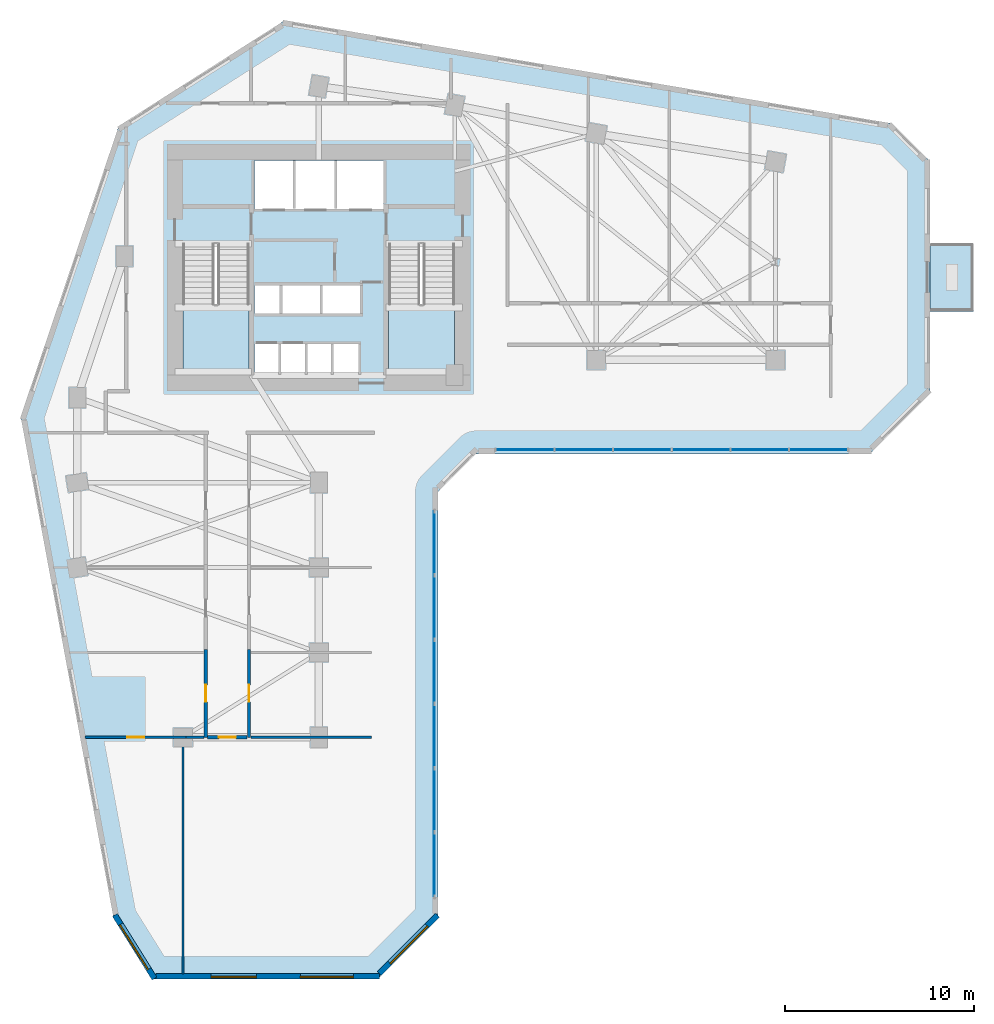
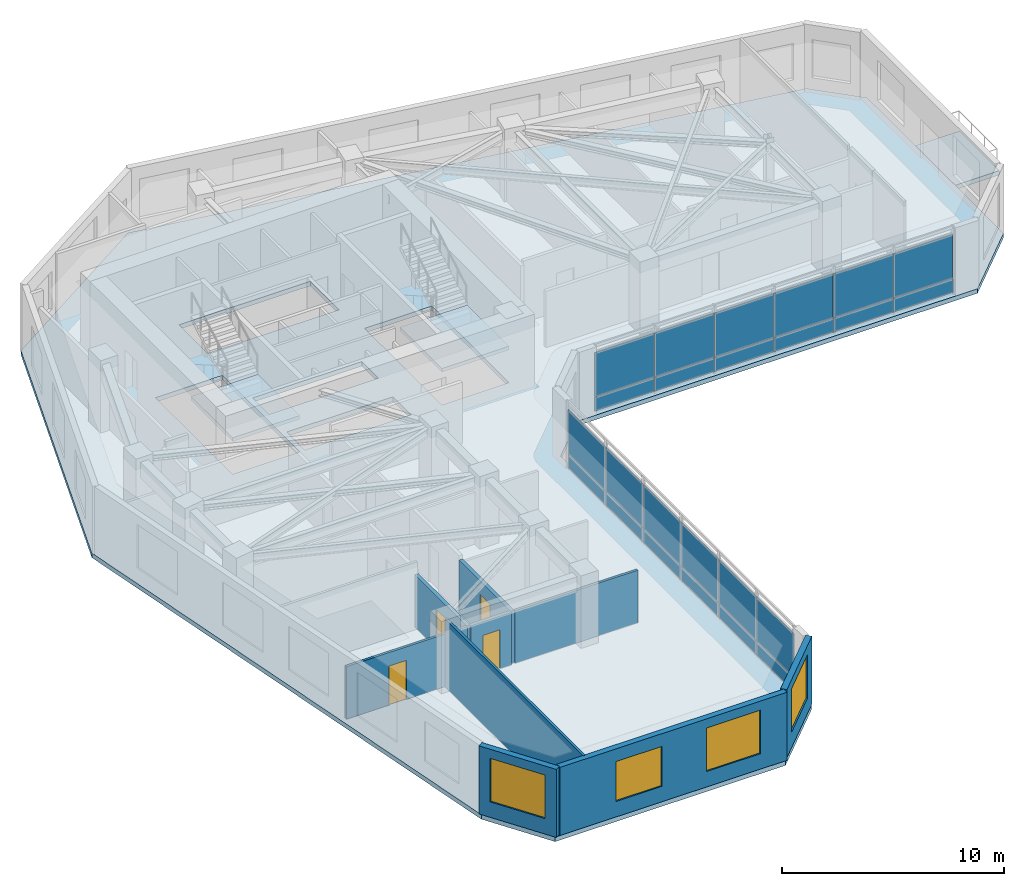
# One storey, part 4 of 11: 24 plates, 10 walls, 4 doors, 4 slabs, 4 windows, 8 openings, 4 elements without a shape of their own.
"""IFC4 building model written with IfcOpenShell, lengths in metres."""

from ifc_helpers import new_model, si_unit, direction, frame, frame_2d, origin, place, context, subcontext, project, spatial, polyline, rectangle, outline, extrude, source, transform, mapped, material, layer, layer_set, type_object, element, fill, aggregate, save


model = new_model("IFC4")

# Units and contexts
model_context = context("Model", 3, precision=1e-05, world=origin(), true_north=direction((0.0, 1.0)))
body_context = subcontext(model_context, "Body", "Model", "MODEL_VIEW")
ifc_project = project(units=[si_unit("LENGTHUNIT", "METRE"), si_unit("AREAUNIT", "SQUARE_METRE"), si_unit("VOLUMEUNIT", "CUBIC_METRE"), si_unit("PLANEANGLEUNIT", "RADIAN"), si_unit("MASSUNIT", "GRAM", prefix="KILO")], contexts=[model_context])

# Site, building, storey
site_placement = place(None, origin())
site = spatial("IfcSite", under=ifc_project, at=site_placement, CompositionType="ELEMENT")
building_placement = place(site_placement, origin())
building = spatial("IfcBuilding", under=site, at=building_placement, Name="Calvemar Wedge Station Tower", CompositionType="ELEMENT")
storey_placement = place(building_placement, frame((0.0, 0.0, 79.0)))
storey = spatial("IfcBuildingStorey", under=building, at=storey_placement, Name="L19", CompositionType="ELEMENT", Elevation=79.0)

# Curtain wall, plates
ifc_material_1 = material(Name="Anodised aluminium 6063-T6", Category="aluminium")
curtain_wall_type = type_object("IfcCurtainWallType", Name="CW1", PredefinedType="NOTDEFINED", material=ifc_material_1)
curtain_wall_1_placement = place(storey_placement, origin())
curtain_wall_1 = element("IfcCurtainWall", 1, at=curtain_wall_1_placement, inside=storey, type_object=curtain_wall_type, Name="Storey L19 CW1 Recessed Unitised Curtain Wall 4", PredefinedType="NOTDEFINED")
ifc_material_2 = material(Name="Low-E laminated insulated glass", Category="glass")
ifc_layer_1 = layer(ifc_material_2, 0.028076171875)
ifc_layer_set_1 = layer_set([ifc_layer_1], Name="Low-E laminated insulated glass")
plate_type_1 = type_object("IfcPlateType", Name="CW1-GLZ", PredefinedType="CURTAIN_PANEL", material=ifc_layer_set_1)
plate_1_placement = place(storey_placement, frame((29.91796875, 6.580078125, 0.8701171875), z_axis=(0.0, 0.0, 1.0), x_axis=(0.0, 1.0, 0.0)))
plate_1 = element("IfcPlate", 2, at=plate_1_placement, type_object=plate_type_1, Name="CW1 vision glass panel 1", PredefinedType="CURTAIN_PANEL", context=body_context, shape_type="SweptSolid", body=[
    extrude(rectangle(XDim=3.36865234375, YDim=0.028076171875, at=frame_2d((1.684326171875, 0.0))), origin(), (0.0, 0.0, 1.0), 2.409912109375),
])
plate_2_placement = place(storey_placement, frame((29.91796875, 9.98486328125, 0.8701171875), z_axis=(0.0, 0.0, 1.0), x_axis=(0.0, 1.0, 0.0)))
plate_2 = element("IfcPlate", 3, at=plate_2_placement, type_object=plate_type_1, Name="CW1 vision glass panel 2", PredefinedType="CURTAIN_PANEL", context=body_context, shape_type="SweptSolid", body=[
    extrude(rectangle(XDim=3.36865234375, YDim=0.028076171875, at=frame_2d((1.684326171875, 0.0))), origin(), (0.0, 0.0, 1.0), 2.409912109375),
])
plate_3_placement = place(storey_placement, frame((29.91796875, 13.389404296875, 0.8701171875), z_axis=(0.0, 0.0, 1.0), x_axis=(0.0, 1.0, 0.0)))
plate_3 = element("IfcPlate", 4, at=plate_3_placement, type_object=plate_type_1, Name="CW1 vision glass panel 3", PredefinedType="CURTAIN_PANEL", context=body_context, shape_type="SweptSolid", body=[
    extrude(rectangle(XDim=3.36865234375, YDim=0.028076171875, at=frame_2d((1.684326171875, 0.0))), origin(), (0.0, 0.0, 1.0), 2.409912109375),
])
plate_4_placement = place(storey_placement, frame((29.91796875, 16.794189453125, 0.8701171875), z_axis=(0.0, 0.0, 1.0), x_axis=(0.0, 1.0, 0.0)))
plate_4 = element("IfcPlate", 5, at=plate_4_placement, type_object=plate_type_1, Name="CW1 vision glass panel 4", PredefinedType="CURTAIN_PANEL", context=body_context, shape_type="SweptSolid", body=[
    extrude(rectangle(XDim=3.36865234375, YDim=0.028076171875, at=frame_2d((1.684326171875, 0.0))), origin(), (0.0, 0.0, 1.0), 2.409912109375),
])
plate_5_placement = place(storey_placement, frame((29.91796875, 20.19873046875, 0.8701171875), z_axis=(0.0, 0.0, 1.0), x_axis=(0.0, 1.0, 0.0)))
plate_5 = element("IfcPlate", 6, at=plate_5_placement, type_object=plate_type_1, Name="CW1 vision glass panel 5", PredefinedType="CURTAIN_PANEL", context=body_context, shape_type="SweptSolid", body=[
    extrude(rectangle(XDim=3.36865234375, YDim=0.028076171875, at=frame_2d((1.684326171875, 0.0))), origin(), (0.0, 0.0, 1.0), 2.409912109375),
])
plate_6_placement = place(storey_placement, frame((29.91796875, 23.603515625, 0.8701171875), z_axis=(0.0, 0.0, 1.0), x_axis=(0.0, 1.0, 0.0)))
plate_6 = element("IfcPlate", 7, at=plate_6_placement, type_object=plate_type_1, Name="CW1 vision glass panel 6", PredefinedType="CURTAIN_PANEL", context=body_context, shape_type="SweptSolid", body=[
    extrude(rectangle(XDim=3.36865234375, YDim=0.028076171875, at=frame_2d((1.684326171875, 0.0))), origin(), (0.0, 0.0, 1.0), 2.409912109375),
])

curtain_wall_2_placement = place(storey_placement, origin())
curtain_wall_2 = element("IfcCurtainWall", 8, at=curtain_wall_2_placement, inside=storey, type_object=curtain_wall_type, Name="Storey L19 CW1 Recessed Unitised Curtain Wall 6", PredefinedType="NOTDEFINED")
plate_7_placement = place(storey_placement, frame((33.183837890625, 30.238037109375, 0.8701171875), z_axis=(0.0, 0.0, 1.0), x_axis=(1.0, 0.0, 0.0)))
plate_7 = element("IfcPlate", 9, at=plate_7_placement, type_object=plate_type_1, Name="CW1 vision glass panel 1", PredefinedType="CURTAIN_PANEL", context=body_context, shape_type="SweptSolid", body=[
    extrude(rectangle(XDim=3.076171875, YDim=0.028076171875, at=frame_2d((1.5380859375, 0.0))), origin(), (0.0, 0.0, 1.0), 2.409912109375),
])
plate_8_placement = place(storey_placement, frame((36.2958984375, 30.238037109375, 0.8701171875), z_axis=(0.0, 0.0, 1.0), x_axis=(1.0, 0.0, 0.0)))
plate_8 = element("IfcPlate", 10, at=plate_8_placement, type_object=plate_type_1, Name="CW1 vision glass panel 2", PredefinedType="CURTAIN_PANEL", context=body_context, shape_type="SweptSolid", body=[
    extrude(rectangle(XDim=3.075927734375, YDim=0.028076171875, at=frame_2d((1.5380859375, 0.0))), origin(), (0.0, 0.0, 1.0), 2.409912109375),
])
plate_9_placement = place(storey_placement, frame((39.407958984375, 30.238037109375, 0.8701171875), z_axis=(0.0, 0.0, 1.0), x_axis=(1.0, 0.0, 0.0)))
plate_9 = element("IfcPlate", 11, at=plate_9_placement, type_object=plate_type_1, Name="CW1 vision glass panel 3", PredefinedType="CURTAIN_PANEL", context=body_context, shape_type="SweptSolid", body=[
    extrude(rectangle(XDim=3.075927734375, YDim=0.028076171875, at=frame_2d((1.5380859375, 0.0))), origin(), (0.0, 0.0, 1.0), 2.409912109375),
])
plate_10_placement = place(storey_placement, frame((42.52001953125, 30.238037109375, 0.8701171875), z_axis=(0.0, 0.0, 1.0), x_axis=(1.0, 0.0, 0.0)))
plate_10 = element("IfcPlate", 12, at=plate_10_placement, type_object=plate_type_1, Name="CW1 vision glass panel 4", PredefinedType="CURTAIN_PANEL", context=body_context, shape_type="SweptSolid", body=[
    extrude(rectangle(XDim=3.075927734375, YDim=0.028076171875, at=frame_2d((1.5380859375, 0.0))), origin(), (0.0, 0.0, 1.0), 2.409912109375),
])
plate_11_placement = place(storey_placement, frame((45.6318359375, 30.238037109375, 0.8701171875), z_axis=(0.0, 0.0, 1.0), x_axis=(1.0, 0.0, 0.0)))
plate_11 = element("IfcPlate", 13, at=plate_11_placement, type_object=plate_type_1, Name="CW1 vision glass panel 5", PredefinedType="CURTAIN_PANEL", context=body_context, shape_type="SweptSolid", body=[
    extrude(rectangle(XDim=3.076171875, YDim=0.028076171875, at=frame_2d((1.5380859375, 0.0))), origin(), (0.0, 0.0, 1.0), 2.409912109375),
])
plate_12_placement = place(storey_placement, frame((48.743896484375, 30.238037109375, 0.8701171875), z_axis=(0.0, 0.0, 1.0), x_axis=(1.0, 0.0, 0.0)))
plate_12 = element("IfcPlate", 14, at=plate_12_placement, type_object=plate_type_1, Name="CW1 vision glass panel 6", PredefinedType="CURTAIN_PANEL", context=body_context, shape_type="SweptSolid", body=[
    extrude(rectangle(XDim=3.075927734375, YDim=0.028076171875, at=frame_2d((1.5380859375, 0.0))), origin(), (0.0, 0.0, 1.0), 2.409912109375),
])

# Plate
ifc_material_3 = material(Name="Oxidized bronze aluminium spandrel panel 5005-H24", Category="aluminium")
ifc_layer_2 = layer(ifc_material_3, 0.0400390625)
ifc_layer_set_2 = layer_set([ifc_layer_2], Name="Oxidized bronze aluminium spandrel panel 5005-H24")
plate_type_2 = type_object("IfcPlateType", Name="CW1-SPD", PredefinedType="SHEET", material=ifc_layer_set_2)
plate_13_placement = place(storey_placement, frame((29.91796875, 6.580078125, 0.080078125), z_axis=(0.0, 0.0, 1.0), x_axis=(0.0, 1.0, 0.0)))
plate_13 = element("IfcPlate", 15, at=plate_13_placement, type_object=plate_type_2, Name="CW1 bronze spandrel panel 1", PredefinedType="SHEET", context=body_context, shape_type="SweptSolid", body=[
    extrude(rectangle(XDim=3.36865234375, YDim=0.0400390625, at=frame_2d((1.684326171875, 0.0))), origin(), (0.0, 0.0, 1.0), 0.75),
])

plate_14_placement = place(storey_placement, frame((29.91796875, 9.98486328125, 0.080078125), z_axis=(0.0, 0.0, 1.0), x_axis=(0.0, 1.0, 0.0)))
plate_14 = element("IfcPlate", 16, at=plate_14_placement, type_object=plate_type_2, Name="CW1 bronze spandrel panel 2", PredefinedType="SHEET", context=body_context, shape_type="SweptSolid", body=[
    extrude(rectangle(XDim=3.36865234375, YDim=0.0400390625, at=frame_2d((1.684326171875, 0.0))), origin(), (0.0, 0.0, 1.0), 0.75),
])

plate_15_placement = place(storey_placement, frame((29.91796875, 13.389404296875, 0.080078125), z_axis=(0.0, 0.0, 1.0), x_axis=(0.0, 1.0, 0.0)))
plate_15 = element("IfcPlate", 17, at=plate_15_placement, type_object=plate_type_2, Name="CW1 bronze spandrel panel 3", PredefinedType="SHEET", context=body_context, shape_type="SweptSolid", body=[
    extrude(rectangle(XDim=3.36865234375, YDim=0.0400390625, at=frame_2d((1.684326171875, 0.0))), origin(), (0.0, 0.0, 1.0), 0.75),
])

plate_16_placement = place(storey_placement, frame((29.91796875, 16.794189453125, 0.080078125), z_axis=(0.0, 0.0, 1.0), x_axis=(0.0, 1.0, 0.0)))
plate_16 = element("IfcPlate", 18, at=plate_16_placement, type_object=plate_type_2, Name="CW1 bronze spandrel panel 4", PredefinedType="SHEET", context=body_context, shape_type="SweptSolid", body=[
    extrude(rectangle(XDim=3.36865234375, YDim=0.0400390625, at=frame_2d((1.684326171875, 0.0))), origin(), (0.0, 0.0, 1.0), 0.75),
])

plate_17_placement = place(storey_placement, frame((29.91796875, 20.19873046875, 0.080078125), z_axis=(0.0, 0.0, 1.0), x_axis=(0.0, 1.0, 0.0)))
plate_17 = element("IfcPlate", 19, at=plate_17_placement, type_object=plate_type_2, Name="CW1 bronze spandrel panel 5", PredefinedType="SHEET", context=body_context, shape_type="SweptSolid", body=[
    extrude(rectangle(XDim=3.36865234375, YDim=0.0400390625, at=frame_2d((1.684326171875, 0.0))), origin(), (0.0, 0.0, 1.0), 0.75),
])

plate_18_placement = place(storey_placement, frame((29.91796875, 23.603515625, 0.080078125), z_axis=(0.0, 0.0, 1.0), x_axis=(0.0, 1.0, 0.0)))
plate_18 = element("IfcPlate", 20, at=plate_18_placement, type_object=plate_type_2, Name="CW1 bronze spandrel panel 6", PredefinedType="SHEET", context=body_context, shape_type="SweptSolid", body=[
    extrude(rectangle(XDim=3.36865234375, YDim=0.0400390625, at=frame_2d((1.684326171875, 0.0))), origin(), (0.0, 0.0, 1.0), 0.75),
])

aggregate(curtain_wall_1, [plate_13, plate_1, plate_14, plate_2, plate_15, plate_3, plate_16, plate_4, plate_17, plate_5, plate_18, plate_6])

plate_19_placement = place(storey_placement, frame((33.183837890625, 30.238037109375, 0.080078125), z_axis=(0.0, 0.0, 1.0), x_axis=(1.0, 0.0, 0.0)))
plate_19 = element("IfcPlate", 21, at=plate_19_placement, type_object=plate_type_2, Name="CW1 bronze spandrel panel 1", PredefinedType="SHEET", context=body_context, shape_type="SweptSolid", body=[
    extrude(rectangle(XDim=3.076171875, YDim=0.0400390625, at=frame_2d((1.5380859375, 0.0))), origin(), (0.0, 0.0, 1.0), 0.75),
])

plate_20_placement = place(storey_placement, frame((36.2958984375, 30.238037109375, 0.080078125), z_axis=(0.0, 0.0, 1.0), x_axis=(1.0, 0.0, 0.0)))
plate_20 = element("IfcPlate", 22, at=plate_20_placement, type_object=plate_type_2, Name="CW1 bronze spandrel panel 2", PredefinedType="SHEET", context=body_context, shape_type="SweptSolid", body=[
    extrude(rectangle(XDim=3.075927734375, YDim=0.0400390625, at=frame_2d((1.5380859375, 0.0))), origin(), (0.0, 0.0, 1.0), 0.75),
])

plate_21_placement = place(storey_placement, frame((39.407958984375, 30.238037109375, 0.080078125), z_axis=(0.0, 0.0, 1.0), x_axis=(1.0, 0.0, 0.0)))
plate_21 = element("IfcPlate", 23, at=plate_21_placement, type_object=plate_type_2, Name="CW1 bronze spandrel panel 3", PredefinedType="SHEET", context=body_context, shape_type="SweptSolid", body=[
    extrude(rectangle(XDim=3.075927734375, YDim=0.0400390625, at=frame_2d((1.5380859375, 0.0))), origin(), (0.0, 0.0, 1.0), 0.75),
])

plate_22_placement = place(storey_placement, frame((42.52001953125, 30.238037109375, 0.080078125), z_axis=(0.0, 0.0, 1.0), x_axis=(1.0, 0.0, 0.0)))
plate_22 = element("IfcPlate", 24, at=plate_22_placement, type_object=plate_type_2, Name="CW1 bronze spandrel panel 4", PredefinedType="SHEET", context=body_context, shape_type="SweptSolid", body=[
    extrude(rectangle(XDim=3.075927734375, YDim=0.0400390625, at=frame_2d((1.5380859375, 0.0))), origin(), (0.0, 0.0, 1.0), 0.75),
])

plate_23_placement = place(storey_placement, frame((45.6318359375, 30.238037109375, 0.080078125), z_axis=(0.0, 0.0, 1.0), x_axis=(1.0, 0.0, 0.0)))
plate_23 = element("IfcPlate", 25, at=plate_23_placement, type_object=plate_type_2, Name="CW1 bronze spandrel panel 5", PredefinedType="SHEET", context=body_context, shape_type="SweptSolid", body=[
    extrude(rectangle(XDim=3.076171875, YDim=0.0400390625, at=frame_2d((1.5380859375, 0.0))), origin(), (0.0, 0.0, 1.0), 0.75),
])

plate_24_placement = place(storey_placement, frame((48.743896484375, 30.238037109375, 0.080078125), z_axis=(0.0, 0.0, 1.0), x_axis=(1.0, 0.0, 0.0)))
plate_24 = element("IfcPlate", 26, at=plate_24_placement, type_object=plate_type_2, Name="CW1 bronze spandrel panel 6", PredefinedType="SHEET", context=body_context, shape_type="SweptSolid", body=[
    extrude(rectangle(XDim=3.075927734375, YDim=0.0400390625, at=frame_2d((1.5380859375, 0.0))), origin(), (0.0, 0.0, 1.0), 0.75),
])

aggregate(curtain_wall_2, [plate_19, plate_7, plate_20, plate_8, plate_21, plate_9, plate_22, plate_10, plate_23, plate_11, plate_24, plate_12])

# Stair, slab
ifc_material_4 = material(Name="Concrete C45", Category="concrete")
stair_type = type_object("IfcStairType", Name="ST-TYPE-4000", PredefinedType="HALF_TURN_STAIR", material=ifc_material_4)
stair_1_placement = place(storey_placement, origin())
stair_1 = element("IfcStair", 27, at=stair_1_placement, inside=storey, type_object=stair_type, Name="L19 Pressurized Core Exit Stair ST-C1", PredefinedType="HALF_TURN_STAIR")
ifc_layer_3 = layer(ifc_material_4, 0.199951171875)
ifc_layer_set_3 = layer_set([ifc_layer_3], Name="Concrete C45")
slab_type_1 = type_object("IfcSlabType", Name="SL-STAIR-LND-200", PredefinedType="LANDING", material=ifc_layer_set_3)
slab_1_placement = place(storey_placement, frame((0.0, 0.0, 1.800048828125)))
slab_1 = element("IfcSlab", 28, at=slab_1_placement, type_object=slab_type_1, Name="ST-C1 landing 1", PredefinedType="LANDING", context=body_context, shape_type="SweptSolid", body=[
    extrude(outline(polyline([(16.60009765625, 37.9599609375), (16.60009765625, 34.199951171875), (20.10009765625, 34.199951171875), (20.10009765625, 37.9599609375), (16.60009765625, 37.9599609375)])), origin(), (0.0, 0.0, 1.0), 0.199951171875),
])
aggregate(stair_1, [slab_1])

stair_2_placement = place(storey_placement, origin())
stair_2 = element("IfcStair", 29, at=stair_2_placement, inside=storey, type_object=stair_type, Name="L19 Pressurized Core Exit Stair ST-C2", PredefinedType="HALF_TURN_STAIR")
slab_2_placement = place(storey_placement, frame((0.0, 0.0, 1.800048828125)))
slab_2 = element("IfcSlab", 30, at=slab_2_placement, type_object=slab_type_1, Name="ST-C2 landing 1", PredefinedType="LANDING", context=body_context, shape_type="SweptSolid", body=[
    extrude(outline(polyline([(27.5, 37.9599609375), (27.5, 34.199951171875), (31.0, 34.199951171875), (31.0, 37.9599609375), (27.5, 37.9599609375)])), origin(), (0.0, 0.0, 1.0), 0.199951171875),
])
aggregate(stair_2, [slab_2])

# Slabs
ifc_layer_4 = layer(ifc_material_4, 0.239990234375)
ifc_layer_set_4 = layer_set([ifc_layer_4], Name="Concrete C45")
slab_type_2 = type_object("IfcSlabType", Name="SL-TERR-240", PredefinedType="FLOOR", material=ifc_layer_set_4)
slab_3_placement = place(storey_placement, frame((0.0, 0.0, -0.239990234375)))
element("IfcSlab", 31, at=slab_3_placement, inside=storey, type_object=slab_type_2, Name="Storey L19 Planted Spiral Terrace Slab", PredefinedType="FLOOR", context=body_context, shape_type="SweptSolid", body=[
    extrude(outline(polyline([(56.199951171875, 37.577880859375), (58.5, 37.577880859375), (58.5, 41.177978515625), (56.199951171875, 41.177978515625), (56.199951171875, 37.577880859375)])), origin(), (0.0, 0.0, 1.0), 0.239990234375),
])
ifc_material_5 = material(Name="Concrete C50", Category="concrete")
ifc_layer_5 = layer(ifc_material_5, 0.25)
ifc_layer_set_5 = layer_set([ifc_layer_5], Name="Concrete C50")
slab_type_3 = type_object("IfcSlabType", Name="SL-TYP-250", PredefinedType="FLOOR", material=ifc_layer_set_5)
slab_4_placement = place(storey_placement, frame((0.0, 0.0, -0.25)))
element("IfcSlab", 32, at=slab_4_placement, inside=storey, type_object=slab_type_3, Name="Storey L19 Structural Floor Slab", PredefinedType="FLOOR", context=body_context, shape_type="SweptSolid", body=[
    extrude(outline(polyline([(8.0, 32.0), (12.927978515625, 5.39990234375), (14.927978515625, 2.199951171875), (26.927978515625, 2.199951171875), (30.1279296875, 5.39990234375), (30.1279296875, 28.028076171875), (32.1279296875, 30.028076171875), (53.0, 30.028076171875), (56.199951171875, 33.22802734375), (56.199951171875, 45.528076171875), (54.199951171875, 47.528076171875), (22.0, 53.0), (13.199951171875, 47.39990234375), (8.0, 32.0)]), holes=[polyline([(21.739990234375, 35.85009765625), (21.72998046875, 35.85009765625), (20.3798828125, 35.85009765625), (20.3798828125, 34.219970703125), (21.72998046875, 34.219970703125), (21.739990234375, 34.219970703125), (23.1201171875, 34.219970703125), (23.1298828125, 34.219970703125), (24.510009765625, 34.219970703125), (24.52001953125, 34.219970703125), (25.909912109375, 34.219970703125), (25.909912109375, 35.85009765625), (24.52001953125, 35.85009765625), (24.510009765625, 35.85009765625), (23.1298828125, 35.85009765625), (23.1201171875, 35.85009765625), (21.739990234375, 35.85009765625)]), polyline([(16.60009765625, 41.14990234375), (16.60009765625, 34.199951171875), (20.10009765625, 34.199951171875), (20.10009765625, 41.14990234375), (16.60009765625, 41.14990234375)]), polyline([(27.5, 34.199951171875), (31.0, 34.199951171875), (31.0, 41.14990234375), (27.5, 41.14990234375), (27.5, 34.199951171875)]), polyline([(21.7900390625, 37.449951171875), (21.800048828125, 37.449951171875), (23.929931640625, 37.449951171875), (23.93994140625, 37.449951171875), (26.080078125, 37.449951171875), (26.080078125, 38.949951171875), (23.93994140625, 38.949951171875), (23.929931640625, 38.949951171875), (21.800048828125, 38.949951171875), (21.7900390625, 38.949951171875), (20.3798828125, 38.949951171875), (20.3798828125, 37.449951171875), (21.7900390625, 37.449951171875)]), polyline([(20.3798828125, 43.0), (27.219970703125, 43.0), (27.219970703125, 45.580078125), (20.3798828125, 45.580078125), (20.3798828125, 43.0)])]), origin(), (0.0, 0.0, 1.0), 0.25),
])

# Wall, opening, door
ifc_material_6 = material(Name="Double-stud fire-rated corridor partition")
ifc_layer_6 = layer(ifc_material_6, 0.179931640625)
ifc_layer_set_6 = layer_set([ifc_layer_6], Name="Double-stud fire-rated corridor partition")
wall_type_1 = type_object("IfcWallType", Name="W-CORR-180", PredefinedType="PARTITIONING", material=ifc_layer_set_6)
wall_1_placement = place(storey_placement, frame((17.800048828125, 15.0, 0.0), z_axis=(0.0, 0.0, 1.0), x_axis=(0.0, 1.0, 0.0)))
wall_1 = element("IfcWall", 33, at=wall_1_placement, inside=storey, type_object=wall_type_1, Name="Storey L19 Interior Partition WL-L19-029", PredefinedType="PARTITIONING", context=body_context, shape_type="SweptSolid", body=[
    extrude(rectangle(XDim=4.659912109375, YDim=0.179931640625, at=frame_2d((2.330078125, 0.0))), origin(), (0.0, 0.0, 1.0), 2.89208984375),
])
shared_shape_1 = source(origin(), body_context, "Body", "SweptSolid", [
    extrude(rectangle(XDim=0.89990234375, YDim=2.14990234375, at=frame_2d((0.449951171875, 1.074951171875))), frame((0.0, 0.10009765625, 0.0), z_axis=(0.0, -1.0, 0.0), x_axis=(1.0, 0.0, 0.0)), (0.0, 0.0, 1.0), 0.199951171875),
])
opening_1_placement = place(wall_1_placement, frame((1.8798828125, 0.0, 0.0)))
opening_1 = element("IfcOpeningElement", 34, at=opening_1_placement, cuts=wall_1, Name="Opening D-01", PredefinedType="OPENING", context=body_context, shape_type="MappedRepresentation", body=[
    mapped(shared_shape_1, transform((0.0, 0.0, 0.0), scale=1.0)),
])
ifc_material_7 = material(Name="Architectural hardwood acoustic swing door", Category="wood")
door_type = type_object("IfcDoorType", Name="DR-INT-900", OperationType="NOTDEFINED", PredefinedType="DOOR", material=ifc_material_7)
shared_shape_2 = source(origin(), body_context, "Body", "SweptSolid", [
    extrude(rectangle(XDim=0.89990234375, YDim=2.14990234375, at=frame_2d((0.449951171875, 1.074951171875))), frame((0.0, 0.02490234375, 0.0), z_axis=(0.0, -1.0, 0.0), x_axis=(1.0, 0.0, 0.0)), (0.0, 0.0, 1.0), 0.050048828125),
])
door_1_placement = place(opening_1_placement, origin())
door_1 = element("IfcDoor", 35, at=door_1_placement, inside=storey, type_object=door_type, Name="L19 Office Door", OperationType="SINGLE_SWING_RIGHT", OverallHeight=2.14990234375, OverallWidth=0.89990234375, PredefinedType="DOOR", context=body_context, shape_type="MappedRepresentation", body=[
    mapped(shared_shape_2, transform((0.0, 0.0, 0.0), scale=1.0)),
])
fill(opening_1, door_1)

wall_2_placement = place(storey_placement, frame((20.10009765625, 19.659912109375, 0.0), z_axis=(0.0, 0.0, 1.0), x_axis=(0.0, -1.0, 0.0)))
wall_2 = element("IfcWall", 36, at=wall_2_placement, inside=storey, type_object=wall_type_1, Name="Storey L19 Interior Partition WL-L19-030", PredefinedType="PARTITIONING", context=body_context, shape_type="SweptSolid", body=[
    extrude(rectangle(XDim=4.659912109375, YDim=0.179931640625, at=frame_2d((2.330078125, 0.0))), origin(), (0.0, 0.0, 1.0), 2.89208984375),
])
opening_2_placement = place(wall_2_placement, frame((1.8798828125, 0.0, 0.0)))
opening_2 = element("IfcOpeningElement", 37, at=opening_2_placement, cuts=wall_2, Name="Opening D-01", PredefinedType="OPENING", context=body_context, shape_type="MappedRepresentation", body=[
    mapped(shared_shape_1, transform((0.0, 0.0, 0.0), scale=1.0)),
])
door_2_placement = place(opening_2_placement, origin())
door_2 = element("IfcDoor", 38, at=door_2_placement, inside=storey, type_object=door_type, Name="L19 Office Door", OperationType="SINGLE_SWING_LEFT", OverallHeight=2.14990234375, OverallWidth=0.89990234375, PredefinedType="DOOR", context=body_context, shape_type="MappedRepresentation", body=[
    mapped(shared_shape_2, transform((0.0, 0.0, 0.0), scale=1.0)),
])
fill(opening_2, door_2)

wall_3_placement = place(storey_placement, frame((20.006103515625, 15.0, 0.0), z_axis=(0.0, 0.0, 1.0), x_axis=(-1.0, 0.0, 0.0)))
wall_3 = element("IfcWall", 39, at=wall_3_placement, inside=storey, type_object=wall_type_1, Name="Storey L19 Interior Partition WL-L19-035", PredefinedType="PARTITIONING", context=body_context, shape_type="SweptSolid", body=[
    extrude(rectangle(XDim=2.112060546875, YDim=0.179931640625, at=frame_2d((1.05615234375, 0.0))), origin(), (0.0, 0.0, 1.0), 2.89208984375),
])
opening_3_placement = place(wall_3_placement, frame((0.60595703125, 0.0, 0.0)))
opening_3 = element("IfcOpeningElement", 40, at=opening_3_placement, cuts=wall_3, Name="Opening D-01", PredefinedType="OPENING", context=body_context, shape_type="MappedRepresentation", body=[
    mapped(shared_shape_1, transform((0.0, 0.0, 0.0), scale=1.0)),
])
door_3_placement = place(opening_3_placement, origin())
door_3 = element("IfcDoor", 41, at=door_3_placement, inside=storey, type_object=door_type, Name="L19 Meeting Room Door", OperationType="SINGLE_SWING_LEFT", OverallHeight=2.14990234375, OverallWidth=0.89990234375, PredefinedType="DOOR", context=body_context, shape_type="MappedRepresentation", body=[
    mapped(shared_shape_2, transform((0.0, 0.0, 0.0), scale=1.0)),
])
fill(opening_3, door_3)

# Wall, opening, window
ifc_material_8 = material(Name="Precast concrete C45", Category="concrete")
ifc_layer_7 = layer(ifc_material_8, 0.300048828125)
ifc_layer_set_7 = layer_set([ifc_layer_7], Name="Precast concrete C45")
wall_type_2 = type_object("IfcWallType", Name="W-EXT-GFRC-300", PredefinedType="SOLIDWALL", material=ifc_layer_set_7)
wall_4_placement = place(storey_placement, frame((12.99072265625, 5.58251953125, 0.0), z_axis=(0.0, 0.0, 1.0), x_axis=(0.530015557218, -0.847987918019, 0.0)))
wall_4 = element("IfcWall", 42, at=wall_4_placement, inside=storey, type_object=wall_type_2, Name="Storey L19 Bronze GFRC Exterior Wall 1", PredefinedType="SOLIDWALL", context=body_context, shape_type="SweptSolid", body=[
    extrude(rectangle(XDim=3.9619140625, YDim=0.300048828125, at=frame_2d((1.98095703125, 0.0))), origin(), (0.0, 0.0, 1.0), 3.75),
])
shared_shape_3 = source(origin(), body_context, "Body", "SweptSolid", [
    extrude(rectangle(XDim=2.800048828125, YDim=2.39990234375, at=frame_2d((1.39990234375, 1.199951171875))), frame((0.0, 0.16015625, 0.0), z_axis=(0.0, -1.0, 0.0), x_axis=(1.0, 0.0, 0.0)), (0.0, 0.0, 1.0), 0.320068359375),
])
opening_4_placement = place(wall_4_placement, frame((0.5810546875, 0.0, 0.85009765625)))
opening_4 = element("IfcOpeningElement", 43, at=opening_4_placement, cuts=wall_4, Name="Opening W6", PredefinedType="OPENING", context=body_context, shape_type="MappedRepresentation", body=[
    mapped(shared_shape_3, transform((0.0, 0.0, 0.0), scale=1.0)),
])
window_type_1 = type_object("IfcWindowType", Name="WIN-EXT-6", PartitioningType="SINGLE_PANEL", PredefinedType="WINDOW", material=ifc_material_2)
shared_shape_4 = source(origin(), body_context, "Body", "SweptSolid", [
    extrude(rectangle(XDim=2.800048828125, YDim=2.39990234375, at=frame_2d((1.39990234375, 1.199951171875))), frame((0.0, -0.014892578125, 0.0), z_axis=(0.0, -1.0, 0.0), x_axis=(1.0, 0.0, 0.0)), (0.0, 0.0, 1.0), 0.06005859375),
])
window_1_placement = place(opening_4_placement, origin())
window_1 = element("IfcWindow", 44, at=window_1_placement, inside=storey, type_object=window_type_1, Name="Storey L19 Recessed Window 1.1", OverallHeight=2.39990234375, OverallWidth=2.800048828125, PartitioningType="SINGLE_PANEL", PredefinedType="WINDOW", context=body_context, shape_type="MappedRepresentation", body=[
    mapped(shared_shape_4, transform((0.0, 0.0, 0.0), scale=1.0)),
])
fill(opening_4, window_1)

# Wall, openings, windows
wall_5_placement = place(storey_placement, frame((15.173828125, 2.35009765625, 0.0), z_axis=(0.0, 0.0, 1.0), x_axis=(1.0, 0.0, 0.0)))
wall_5 = element("IfcWall", 45, at=wall_5_placement, inside=storey, type_object=wall_type_2, Name="Storey L19 Bronze GFRC Exterior Wall 2", PredefinedType="SOLIDWALL", context=body_context, shape_type="SweptSolid", body=[
    extrude(rectangle(XDim=11.842041015625, YDim=0.300048828125, at=frame_2d((5.9208984375, 0.0))), origin(), (0.0, 0.0, 1.0), 3.75),
])
shared_shape_5 = source(origin(), body_context, "Body", "SweptSolid", [
    extrude(rectangle(XDim=2.39990234375, YDim=2.199951171875, at=frame_2d((1.199951171875, 1.10009765625))), frame((0.0, 0.16015625, 0.0), z_axis=(0.0, -1.0, 0.0), x_axis=(1.0, 0.0, 0.0)), (0.0, 0.0, 1.0), 0.320068359375),
])
opening_5_placement = place(wall_5_placement, frame((2.9150390625, 0.0, 0.85009765625)))
opening_5 = element("IfcOpeningElement", 46, at=opening_5_placement, cuts=wall_5, Name="Opening W1", PredefinedType="OPENING", context=body_context, shape_type="MappedRepresentation", body=[
    mapped(shared_shape_5, transform((0.0, 0.0, 0.0), scale=1.0)),
])
opening_6_placement = place(wall_5_placement, frame((7.653076171875, 0.0, 0.85009765625)))
opening_6 = element("IfcOpeningElement", 47, at=opening_6_placement, cuts=wall_5, Name="Opening W6", PredefinedType="OPENING", context=body_context, shape_type="MappedRepresentation", body=[
    mapped(shared_shape_3, transform((0.0, 0.0, 0.0), scale=1.0)),
])
window_2_placement = place(opening_6_placement, origin())
window_2 = element("IfcWindow", 48, at=window_2_placement, inside=storey, type_object=window_type_1, Name="Storey L19 Recessed Window 2.2", OverallHeight=2.39990234375, OverallWidth=2.800048828125, PartitioningType="SINGLE_PANEL", PredefinedType="WINDOW", context=body_context, shape_type="MappedRepresentation", body=[
    mapped(shared_shape_4, transform((0.0, 0.0, 0.0), scale=1.0)),
])
fill(opening_6, window_2)
window_type_2 = type_object("IfcWindowType", Name="WIN-EXT-1", PartitioningType="SINGLE_PANEL", PredefinedType="WINDOW", material=ifc_material_2)
shared_shape_6 = source(origin(), body_context, "Body", "SweptSolid", [
    extrude(rectangle(XDim=2.39990234375, YDim=2.199951171875, at=frame_2d((1.199951171875, 1.10009765625))), frame((0.0, -0.014892578125, 0.0), z_axis=(0.0, -1.0, 0.0), x_axis=(1.0, 0.0, 0.0)), (0.0, 0.0, 1.0), 0.06005859375),
])
window_3_placement = place(opening_5_placement, origin())
window_3 = element("IfcWindow", 49, at=window_3_placement, inside=storey, type_object=window_type_2, Name="Storey L19 Recessed Window 2.1", OverallHeight=2.199951171875, OverallWidth=2.39990234375, PartitioningType="SINGLE_PANEL", PredefinedType="WINDOW", context=body_context, shape_type="MappedRepresentation", body=[
    mapped(shared_shape_6, transform((0.0, 0.0, 0.0), scale=1.0)),
])
fill(opening_5, window_3)

# Wall, opening, window
wall_6_placement = place(storey_placement, frame((27.00390625, 2.488037109375, 0.0), z_axis=(0.0, 0.0, 1.0), x_axis=(0.707106781187, 0.707106781187, 0.0)))
wall_6 = element("IfcWall", 50, at=wall_6_placement, inside=storey, type_object=wall_type_2, Name="Storey L19 Bronze GFRC Exterior Wall 3", PredefinedType="SOLIDWALL", context=body_context, shape_type="SweptSolid", body=[
    extrude(rectangle(XDim=4.35595703125, YDim=0.300048828125, at=frame_2d((2.177978515625, 0.0))), origin(), (0.0, 0.0, 1.0), 3.75),
])
opening_7_placement = place(wall_6_placement, frame((0.778076171875, 0.0, 0.85009765625)))
opening_7 = element("IfcOpeningElement", 51, at=opening_7_placement, cuts=wall_6, Name="Opening W6", PredefinedType="OPENING", context=body_context, shape_type="MappedRepresentation", body=[
    mapped(shared_shape_3, transform((0.0, 0.0, 0.0), scale=1.0)),
])
window_4_placement = place(opening_7_placement, origin())
window_4 = element("IfcWindow", 52, at=window_4_placement, inside=storey, type_object=window_type_1, Name="Storey L19 Recessed Window 3.1", OverallHeight=2.39990234375, OverallWidth=2.800048828125, PartitioningType="SINGLE_PANEL", PredefinedType="WINDOW", context=body_context, shape_type="MappedRepresentation", body=[
    mapped(shared_shape_4, transform((0.0, 0.0, 0.0), scale=1.0)),
])
fill(opening_7, window_4)

# Wall, opening, door
ifc_material_9 = material(Name="Insulated acoustic gypsum stud partition")
ifc_layer_8 = layer(ifc_material_9, 0.125)
ifc_layer_set_8 = layer_set([ifc_layer_8], Name="Insulated acoustic gypsum stud partition")
wall_type_3 = type_object("IfcWallType", Name="W-PART-125", PredefinedType="PARTITIONING", material=ifc_layer_set_8)
wall_7_placement = place(storey_placement, frame((16.760009765625, 15.0, 0.0), z_axis=(0.0, 0.0, 1.0), x_axis=(-1.0, 0.0, 0.0)))
wall_7 = element("IfcWall", 53, at=wall_7_placement, inside=storey, type_object=wall_type_3, Name="Storey L19 Interior Partition WL-L19-037", PredefinedType="PARTITIONING", context=body_context, shape_type="SweptSolid", body=[
    extrude(rectangle(XDim=5.341064453125, YDim=0.125, at=frame_2d((2.67041015625, 0.0))), origin(), (0.0, 0.0, 1.0), 2.89208984375),
])
shared_shape_7 = source(origin(), body_context, "Body", "SweptSolid", [
    extrude(rectangle(XDim=0.89990234375, YDim=2.14990234375, at=frame_2d((0.449951171875, 1.074951171875))), frame((0.0, 0.072509765625, 0.0), z_axis=(0.0, -1.0, 0.0), x_axis=(1.0, 0.0, 0.0)), (0.0, 0.0, 1.0), 0.14501953125),
])
opening_8_placement = place(wall_7_placement, frame((2.220458984375, 0.0, 0.0)))
opening_8 = element("IfcOpeningElement", 54, at=opening_8_placement, cuts=wall_7, Name="Opening D-01", PredefinedType="OPENING", context=body_context, shape_type="MappedRepresentation", body=[
    mapped(shared_shape_7, transform((0.0, 0.0, 0.0), scale=1.0)),
])
door_4_placement = place(opening_8_placement, origin())
door_4 = element("IfcDoor", 55, at=door_4_placement, inside=storey, type_object=door_type, Name="L19 Office Door", OperationType="SINGLE_SWING_RIGHT", OverallHeight=2.14990234375, OverallWidth=0.89990234375, PredefinedType="DOOR", context=body_context, shape_type="MappedRepresentation", body=[
    mapped(shared_shape_2, transform((0.0, 0.0, 0.0), scale=1.0)),
])
fill(opening_8, door_4)

# Walls
wall_8_placement = place(storey_placement, frame((17.7060546875, 15.0, 0.0), z_axis=(0.0, 0.0, 1.0), x_axis=(-1.0, 0.0, 0.0)))
element("IfcWall", 56, at=wall_8_placement, inside=storey, type_object=wall_type_3, Name="Storey L19 Interior Partition WL-L19-038", PredefinedType="PARTITIONING", context=body_context, shape_type="SweptSolid", body=[
    extrude(rectangle(XDim=0.944091796875, YDim=0.125, at=frame_2d((0.47216796875, 0.0))), origin(), (0.0, 0.0, 1.0), 2.89208984375),
])
wall_9_placement = place(storey_placement, frame((26.60009765625, 15.0, 0.0), z_axis=(0.0, 0.0, 1.0), x_axis=(-1.0, 0.0, 0.0)))
element("IfcWall", 57, at=wall_9_placement, inside=storey, type_object=wall_type_3, Name="Storey L19 Interior Partition WL-L19-040", PredefinedType="PARTITIONING", context=body_context, shape_type="SweptSolid", body=[
    extrude(rectangle(XDim=6.406005859375, YDim=0.125, at=frame_2d((3.203125, 0.0))), origin(), (0.0, 0.0, 1.0), 2.89208984375),
])
wall_10_placement = place(storey_placement, frame((16.60009765625, 14.93359375, 0.0), z_axis=(0.0, 0.0, 1.0), x_axis=(0.0, -1.0, 0.0)))
element("IfcWall", 58, at=wall_10_placement, inside=storey, type_object=wall_type_3, Name="Storey L19 Interior Partition WL-L19-043", PredefinedType="PARTITIONING", context=body_context, shape_type="SweptSolid", body=[
    extrude(rectangle(XDim=12.468505859375, YDim=0.125, at=frame_2d((6.234375, 0.0))), origin(), (0.0, 0.0, 1.0), 3.75),
])

save(model, "model.ifc")
